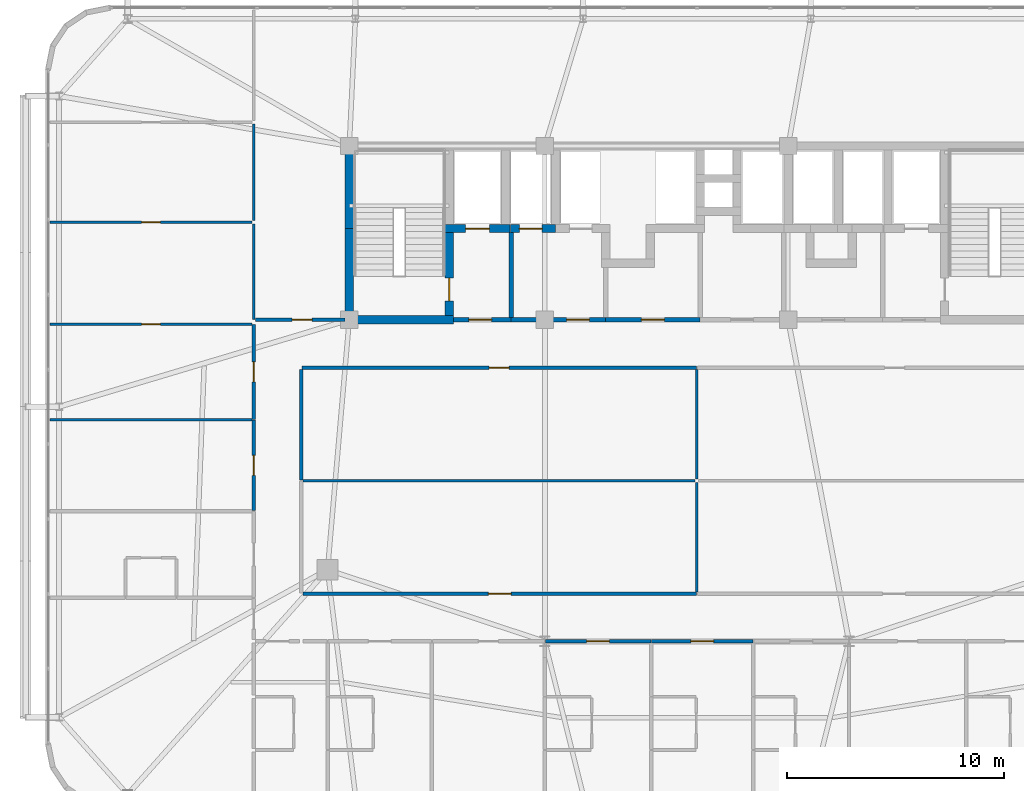
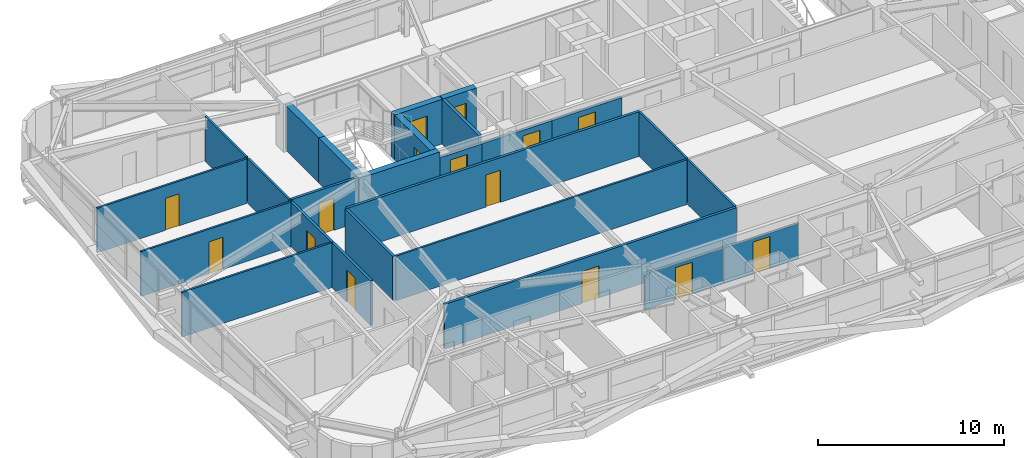
# One storey, part 53 of 59: 26 walls, 15 doors, 15 openings.
"""IFC4 building model written with IfcOpenShell, lengths in metres."""

from ifc_helpers import new_model, si_unit, direction, frame, frame_2d, origin, place, context, subcontext, project, spatial, rectangle, extrude, source, transform, mapped, material, layer, layer_set, type_object, element, fill, save


model = new_model("IFC4")

# Units and contexts
model_context = context("Model", 3, precision=1e-05, world=origin(), true_north=direction((0.0, 1.0)))
body_context = subcontext(model_context, "Body", "Model", "MODEL_VIEW")
ifc_project = project(units=[si_unit("LENGTHUNIT", "METRE"), si_unit("AREAUNIT", "SQUARE_METRE"), si_unit("VOLUMEUNIT", "CUBIC_METRE"), si_unit("PLANEANGLEUNIT", "RADIAN"), si_unit("MASSUNIT", "GRAM", prefix="KILO")], contexts=[model_context])

# Site, building, storey
site_placement = place(None, origin())
site = spatial("IfcSite", under=ifc_project, at=site_placement, CompositionType="ELEMENT")
building_placement = place(site_placement, origin())
building = spatial("IfcBuilding", under=site, at=building_placement, Name="Taldren Reach Tower", CompositionType="ELEMENT")
storey_placement = place(building_placement, frame((0.0, 0.0, 19.949951171875)))
storey = spatial("IfcBuildingStorey", under=building, at=storey_placement, Name="L05", CompositionType="ELEMENT", Elevation=19.949951171875)

# Walls
ifc_material_1 = material(Name="Concrete S80 (80 MPa)", Category="concrete")
ifc_layer_1 = layer(ifc_material_1, 0.3798828125)
ifc_layer_set_1 = layer_set([ifc_layer_1], Name="Concrete S80 (80 MPa)")
wall_type_1 = type_object("IfcWallType", Name="IW-CORE-380", PredefinedType="SHEAR", material=ifc_layer_set_1)
shared_shape_1 = source(origin(), body_context, "Body", "SweptSolid", [
    extrude(rectangle(XDim=4.010009765625, YDim=0.3798828125, at=frame_2d((2.0048828125, 0.0))), origin(), (0.0, 0.0, 1.0), 2.929931640625),
])
wall_1_placement = place(storey_placement, frame((19.0, 24.18994140625, 0.0), z_axis=(0.0, 0.0, 1.0), x_axis=(0.0, 1.0, 0.0)))
element("IfcWall", 1, at=wall_1_placement, inside=storey, type_object=wall_type_1, Name="Rear Core Shear Wall W-CORE-L05-WEST1", PredefinedType="SHEAR", context=body_context, shape_type="MappedRepresentation", body=[
    mapped(shared_shape_1, transform((0.0, 0.0, 0.0), scale=1.0)),
])
shared_shape_2 = source(origin(), body_context, "Body", "SweptSolid", [
    extrude(rectangle(XDim=3.610107421875, YDim=0.3798828125, at=frame_2d((1.80517578125, 0.0))), origin(), (0.0, 0.0, 1.0), 2.929931640625),
])
wall_2_placement = place(storey_placement, frame((19.0, 28.199951171875, 0.0), z_axis=(0.0, 0.0, 1.0), x_axis=(0.0, 1.0, 0.0)))
element("IfcWall", 2, at=wall_2_placement, inside=storey, type_object=wall_type_1, Name="Rear Core Shear Wall W-CORE-L05-WEST2", PredefinedType="SHEAR", context=body_context, shape_type="MappedRepresentation", body=[
    mapped(shared_shape_2, transform((0.0, 0.0, 0.0), scale=1.0)),
])

# Wall, opening, door
shared_shape_3 = source(origin(), body_context, "Body", "SweptSolid", [
    extrude(rectangle(XDim=3.820068359375, YDim=0.3798828125, at=frame_2d((1.91015625, 0.0))), origin(), (0.0, 0.0, 1.0), 2.929931640625),
])
wall_3_placement = place(storey_placement, frame((23.60009765625, 24.18994140625, 0.0), z_axis=(0.0, 0.0, 1.0), x_axis=(0.0, 1.0, 0.0)))
wall_3 = element("IfcWall", 3, at=wall_3_placement, inside=storey, type_object=wall_type_1, Name="Rear Core Shear Wall W-INT-L05-002", PredefinedType="SHEAR", context=body_context, shape_type="MappedRepresentation", body=[
    mapped(shared_shape_3, transform((0.0, 0.0, 0.0), scale=1.0)),
])
shared_shape_4 = source(origin(), body_context, "Body", "SweptSolid", [
    extrude(rectangle(XDim=1.050048828125, YDim=2.10009765625, at=frame_2d((0.52490234375, 1.050048828125))), frame((0.0, 0.199951171875, 0.0), z_axis=(0.0, -1.0, 0.0), x_axis=(1.0, 0.0, 0.0)), (0.0, 0.0, 1.0), 0.39990234375),
])
opening_1_placement = place(wall_3_placement, frame((0.68505859375, 0.0, 0.0)))
opening_1 = element("IfcOpeningElement", 4, at=opening_1_placement, cuts=wall_3, Name="Opening DF-105", PredefinedType="OPENING", context=body_context, shape_type="MappedRepresentation", body=[
    mapped(shared_shape_4, transform((0.0, 0.0, 0.0), scale=1.0)),
])
ifc_material_2 = material(Name="Fire-Rated Care and Stair Exit Door")
door_type_1 = type_object("IfcDoorType", Name="ID-FIRE-105", OperationType="NOTDEFINED", PredefinedType="DOOR", material=ifc_material_2)
shared_shape_5 = source(origin(), body_context, "Body", "SweptSolid", [
    extrude(rectangle(XDim=1.050048828125, YDim=2.10009765625, at=frame_2d((0.52490234375, 1.050048828125))), frame((0.0, 0.02490234375, 0.0), z_axis=(0.0, -1.0, 0.0), x_axis=(1.0, 0.0, 0.0)), (0.0, 0.0, 1.0), 0.050048828125),
])
door_1_placement = place(opening_1_placement, origin())
door_1 = element("IfcDoor", 5, at=door_1_placement, inside=storey, type_object=door_type_1, Name="Fire Exit Stair Door DR-L05-001", OperationType="SINGLE_SWING_LEFT", OverallHeight=2.10009765625, OverallWidth=1.050048828125, PredefinedType="DOOR", context=body_context, shape_type="MappedRepresentation", body=[
    mapped(shared_shape_5, transform((0.0, 0.0, 0.0), scale=1.0)),
])
fill(opening_1, door_1)

# Wall
shared_shape_6 = source(origin(), body_context, "Body", "SweptSolid", [
    extrude(rectangle(XDim=4.97998046875, YDim=0.3798828125, at=frame_2d((2.489990234375, 0.0))), origin(), (0.0, 0.0, 1.0), 2.929931640625),
])
wall_4_placement = place(storey_placement, frame((18.81005859375, 24.0, 0.0), z_axis=(0.0, 0.0, 1.0), x_axis=(1.0, 0.0, 0.0)))
element("IfcWall", 6, at=wall_4_placement, inside=storey, type_object=wall_type_1, Name="Rear Core Shear Wall W-INT-L05-003", PredefinedType="SHEAR", context=body_context, shape_type="MappedRepresentation", body=[
    mapped(shared_shape_6, transform((0.0, 0.0, 0.0), scale=1.0)),
])

# Wall, opening, door
shared_shape_7 = source(origin(), body_context, "Body", "SweptSolid", [
    extrude(rectangle(XDim=2.97998046875, YDim=0.3798828125, at=frame_2d((1.489990234375, 0.0))), origin(), (0.0, 0.0, 1.0), 2.929931640625),
])
wall_5_placement = place(storey_placement, frame((23.409912109375, 28.199951171875, 0.0), z_axis=(0.0, 0.0, 1.0), x_axis=(1.0, 0.0, 0.0)))
wall_5 = element("IfcWall", 7, at=wall_5_placement, inside=storey, type_object=wall_type_1, Name="Rear Core Shear Wall W-INT-L05-004", PredefinedType="SHEAR", context=body_context, shape_type="MappedRepresentation", body=[
    mapped(shared_shape_7, transform((0.0, 0.0, 0.0), scale=1.0)),
])
shared_shape_8 = source(origin(), body_context, "Body", "SweptSolid", [
    extrude(rectangle(XDim=1.10009765625, YDim=2.14990234375, at=frame_2d((0.550048828125, 1.074951171875))), frame((0.0, 0.199951171875, 0.0), z_axis=(0.0, -1.0, 0.0), x_axis=(1.0, 0.0, 0.0)), (0.0, 0.0, 1.0), 0.39990234375),
])
opening_2_placement = place(wall_5_placement, frame((0.93994140625, 0.0, 0.0)))
opening_2 = element("IfcOpeningElement", 8, at=opening_2_placement, cuts=wall_5, Name="Opening LD-FL1", PredefinedType="OPENING", context=body_context, shape_type="MappedRepresentation", body=[
    mapped(shared_shape_8, transform((0.0, 0.0, 0.0), scale=1.0)),
])
ifc_material_3 = material(Name="Stainless Steel Gr 316 Emergency Lift Landing Door", Category="steel")
door_type_2 = type_object("IfcDoorType", Name="LD-EMG-110", OperationType="SLIDING_TO_LEFT", PredefinedType="DOOR", material=ifc_material_3)
shared_shape_9 = source(origin(), body_context, "Body", "SweptSolid", [
    extrude(rectangle(XDim=1.10009765625, YDim=2.14990234375, at=frame_2d((0.550048828125, 1.074951171875))), frame((0.0, 0.02490234375, 0.0), z_axis=(0.0, -1.0, 0.0), x_axis=(1.0, 0.0, 0.0)), (0.0, 0.0, 1.0), 0.050048828125),
])
door_2_placement = place(opening_2_placement, origin())
door_2 = element("IfcDoor", 9, at=door_2_placement, inside=storey, type_object=door_type_2, Name="Lift Landing Door LD-FL1-L05", OperationType="SLIDING_TO_LEFT", OverallHeight=2.14990234375, OverallWidth=1.10009765625, PredefinedType="DOOR", context=body_context, shape_type="MappedRepresentation", body=[
    mapped(shared_shape_9, transform((0.0, 0.0, 0.0), scale=1.0)),
])
fill(opening_2, door_2)

# Wall
ifc_material_4 = material(Name="Concrete S50 (50 MPa)", Category="concrete")
ifc_layer_2 = layer(ifc_material_4, 0.199951171875)
ifc_layer_set_2 = layer_set([ifc_layer_2], Name="Concrete S50 (50 MPa)")
wall_type_2 = type_object("IfcWallType", Name="IW-CORE-200", PredefinedType="SOLIDWALL", material=ifc_layer_set_2)
shared_shape_10 = source(origin(), body_context, "Body", "SweptSolid", [
    extrude(rectangle(XDim=3.909912109375, YDim=0.199951171875, at=frame_2d((1.955078125, 0.0))), origin(), (0.0, 0.0, 1.0), 2.929931640625),
])
wall_6_placement = place(storey_placement, frame((26.449951171875, 24.10009765625, 0.0), z_axis=(0.0, 0.0, 1.0), x_axis=(0.0, 1.0, 0.0)))
element("IfcWall", 10, at=wall_6_placement, inside=storey, type_object=wall_type_2, Name="Rear Core Shear Wall W-INT-L05-006", PredefinedType="SOLIDWALL", context=body_context, shape_type="MappedRepresentation", body=[
    mapped(shared_shape_10, transform((0.0, 0.0, 0.0), scale=1.0)),
])

# Wall, opening, door
shared_shape_11 = source(origin(), body_context, "Body", "SweptSolid", [
    extrude(rectangle(XDim=2.659912109375, YDim=0.199951171875, at=frame_2d((1.330078125, 0.0))), origin(), (0.0, 0.0, 1.0), 2.469970703125),
])
wall_7_placement = place(storey_placement, frame((23.7900390625, 24.0, 0.0), z_axis=(0.0, 0.0, 1.0), x_axis=(1.0, 0.0, 0.0)))
wall_7 = element("IfcWall", 11, at=wall_7_placement, inside=storey, type_object=wall_type_2, Name="Rear Core Shear Wall W-INT-L05-007", PredefinedType="SOLIDWALL", context=body_context, shape_type="MappedRepresentation", body=[
    mapped(shared_shape_11, transform((0.0, 0.0, 0.0), scale=1.0)),
])
shared_shape_12 = source(origin(), body_context, "Body", "SweptSolid", [
    extrude(rectangle(XDim=1.050048828125, YDim=2.10009765625, at=frame_2d((0.52490234375, 1.050048828125))), frame((0.0, 0.10986328125, 0.0), z_axis=(0.0, -1.0, 0.0), x_axis=(1.0, 0.0, 0.0)), (0.0, 0.0, 1.0), 0.219970703125),
])
opening_3_placement = place(wall_7_placement, frame((0.7099609375, 0.0, 0.0)))
opening_3 = element("IfcOpeningElement", 12, at=opening_3_placement, cuts=wall_7, Name="Opening DF-105", PredefinedType="OPENING", context=body_context, shape_type="MappedRepresentation", body=[
    mapped(shared_shape_12, transform((0.0, 0.0, 0.0), scale=1.0)),
])
door_3_placement = place(opening_3_placement, origin())
door_3 = element("IfcDoor", 13, at=door_3_placement, inside=storey, type_object=door_type_1, Name="Interior Door DR-L05-002", OperationType="SINGLE_SWING_LEFT", OverallHeight=2.10009765625, OverallWidth=1.050048828125, PredefinedType="DOOR", context=body_context, shape_type="MappedRepresentation", body=[
    mapped(shared_shape_5, transform((0.0, 0.0, 0.0), scale=1.0)),
])
fill(opening_3, door_3)

shared_shape_13 = source(origin(), body_context, "Body", "SweptSolid", [
    extrude(rectangle(XDim=2.070068359375, YDim=0.3798828125, at=frame_2d((1.03515625, 0.0))), origin(), (0.0, 0.0, 1.0), 2.929931640625),
])
wall_8_placement = place(storey_placement, frame((26.429931640625, 28.199951171875, 0.0), z_axis=(0.0, 0.0, 1.0), x_axis=(1.0, 0.0, 0.0)))
wall_8 = element("IfcWall", 14, at=wall_8_placement, inside=storey, type_object=wall_type_1, Name="Rear Core Shear Wall W-INT-L05-030", PredefinedType="SHEAR", context=body_context, shape_type="MappedRepresentation", body=[
    mapped(shared_shape_13, transform((0.0, 0.0, 0.0), scale=1.0)),
])
shared_shape_14 = source(origin(), body_context, "Body", "SweptSolid", [
    extrude(rectangle(XDim=1.050048828125, YDim=2.14990234375, at=frame_2d((0.52490234375, 1.074951171875))), frame((0.0, 0.199951171875, 0.0), z_axis=(0.0, -1.0, 0.0), x_axis=(1.0, 0.0, 0.0)), (0.0, 0.0, 1.0), 0.39990234375),
])
opening_4_placement = place(wall_8_placement, frame((0.39501953125, 0.0, 0.0)))
opening_4 = element("IfcOpeningElement", 15, at=opening_4_placement, cuts=wall_8, Name="Opening LD-PL1", PredefinedType="OPENING", context=body_context, shape_type="MappedRepresentation", body=[
    mapped(shared_shape_14, transform((0.0, 0.0, 0.0), scale=1.0)),
])
ifc_material_5 = material(Name="Stainless Steel Gr 316 Passenger Lift Landing Door", Category="steel")
door_type_3 = type_object("IfcDoorType", Name="LD-PAS-105", OperationType="SLIDING_TO_LEFT", PredefinedType="DOOR", material=ifc_material_5)
shared_shape_15 = source(origin(), body_context, "Body", "SweptSolid", [
    extrude(rectangle(XDim=1.050048828125, YDim=2.14990234375, at=frame_2d((0.52490234375, 1.074951171875))), frame((0.0, 0.02490234375, 0.0), z_axis=(0.0, -1.0, 0.0), x_axis=(1.0, 0.0, 0.0)), (0.0, 0.0, 1.0), 0.050048828125),
])
door_4_placement = place(opening_4_placement, origin())
door_4 = element("IfcDoor", 16, at=door_4_placement, inside=storey, type_object=door_type_3, Name="Lift Landing Door LD-PL1-L05", OperationType="SLIDING_TO_LEFT", OverallHeight=2.14990234375, OverallWidth=1.050048828125, PredefinedType="DOOR", context=body_context, shape_type="MappedRepresentation", body=[
    mapped(shared_shape_15, transform((0.0, 0.0, 0.0), scale=1.0)),
])
fill(opening_4, door_4)

shared_shape_16 = source(origin(), body_context, "Body", "SweptSolid", [
    extrude(rectangle(XDim=4.35009765625, YDim=0.199951171875, at=frame_2d((2.175048828125, 0.0))), origin(), (0.0, 0.0, 1.0), 2.469970703125),
])
wall_9_placement = place(storey_placement, frame((30.800048828125, 24.0, 0.0), z_axis=(0.0, 0.0, 1.0), x_axis=(-1.0, 0.0, 0.0)))
wall_9 = element("IfcWall", 17, at=wall_9_placement, inside=storey, type_object=wall_type_2, Name="Rear Core Shear Wall W-INT-L05-033", PredefinedType="SOLIDWALL", context=body_context, shape_type="MappedRepresentation", body=[
    mapped(shared_shape_16, transform((0.0, 0.0, 0.0), scale=1.0)),
])
opening_5_placement = place(wall_9_placement, frame((0.75, 0.0, 0.0)))
opening_5 = element("IfcOpeningElement", 18, at=opening_5_placement, cuts=wall_9, Name="Opening DF-105", PredefinedType="OPENING", context=body_context, shape_type="MappedRepresentation", body=[
    mapped(shared_shape_12, transform((0.0, 0.0, 0.0), scale=1.0)),
])
door_5_placement = place(opening_5_placement, frame((1.050048828125, 0.0, 0.0), z_axis=(0.0, 0.0, 1.0), x_axis=(-1.0, 0.0, 0.0)))
door_5 = element("IfcDoor", 19, at=door_5_placement, inside=storey, type_object=door_type_1, Name="Interior Door DR-L05-005", OperationType="SINGLE_SWING_RIGHT", OverallHeight=2.10009765625, OverallWidth=1.050048828125, PredefinedType="DOOR", context=body_context, shape_type="MappedRepresentation", body=[
    mapped(shared_shape_5, transform((0.0, 0.0, 0.0), scale=1.0)),
])
fill(opening_5, door_5)

ifc_material_6 = material(Name="Fire-Rated Acoustic Plasterboard Stud Wall", Category="gypsum")
ifc_layer_3 = layer(ifc_material_6, 0.159912109375)
ifc_layer_set_3 = layer_set([ifc_layer_3], Name="Fire-Rated Acoustic Plasterboard Stud Wall")
wall_type_3 = type_object("IfcWallType", Name="IW-FIRE-160", PredefinedType="PARTITIONING", material=ifc_layer_set_3)
shared_shape_17 = source(origin(), body_context, "Body", "SweptSolid", [
    extrude(rectangle(XDim=4.130126953125, YDim=0.159912109375, at=frame_2d((2.06494140625, 0.0))), origin(), (0.0, 0.0, 1.0), 2.929931640625),
])
wall_10_placement = place(storey_placement, frame((14.679931640625, 24.0, 0.0), z_axis=(0.0, 0.0, 1.0), x_axis=(1.0, 0.0, 0.0)))
wall_10 = element("IfcWall", 20, at=wall_10_placement, inside=storey, type_object=wall_type_3, Name="Interior Partition Wall W-INT-L05-063", PredefinedType="PARTITIONING", context=body_context, shape_type="MappedRepresentation", body=[
    mapped(shared_shape_17, transform((0.0, 0.0, 0.0), scale=1.0)),
])
shared_shape_18 = source(origin(), body_context, "Body", "SweptSolid", [
    extrude(rectangle(XDim=0.919921875, YDim=2.10009765625, at=frame_2d((0.4599609375, 1.050048828125))), frame((0.0, 0.08984375, 0.0), z_axis=(0.0, -1.0, 0.0), x_axis=(1.0, 0.0, 0.0)), (0.0, 0.0, 1.0), 0.179931640625),
])
opening_6_placement = place(wall_10_placement, frame((1.68994140625, 0.0, 0.0)))
opening_6 = element("IfcOpeningElement", 21, at=opening_6_placement, cuts=wall_10, Name="Opening DI-092", PredefinedType="OPENING", context=body_context, shape_type="MappedRepresentation", body=[
    mapped(shared_shape_18, transform((0.0, 0.0, 0.0), scale=1.0)),
])
ifc_material_7 = material(Name="Solid-Core Timber Suite Door", Category="wood")
door_type_4 = type_object("IfcDoorType", Name="ID-INT-092", OperationType="NOTDEFINED", PredefinedType="DOOR", material=ifc_material_7)
shared_shape_19 = source(origin(), body_context, "Body", "SweptSolid", [
    extrude(rectangle(XDim=0.919921875, YDim=2.10009765625, at=frame_2d((0.4599609375, 1.050048828125))), frame((0.0, 0.02490234375, 0.0), z_axis=(0.0, -1.0, 0.0), x_axis=(1.0, 0.0, 0.0)), (0.0, 0.0, 1.0), 0.050048828125),
])
door_6_placement = place(opening_6_placement, origin())
door_6 = element("IfcDoor", 22, at=door_6_placement, inside=storey, type_object=door_type_4, Name="Interior Door DR-L05-021", OperationType="SINGLE_SWING_RIGHT", OverallHeight=2.10009765625, OverallWidth=0.919921875, PredefinedType="DOOR", context=body_context, shape_type="MappedRepresentation", body=[
    mapped(shared_shape_19, transform((0.0, 0.0, 0.0), scale=1.0)),
])
fill(opening_6, door_6)

shared_shape_20 = source(origin(), body_context, "Body", "SweptSolid", [
    extrude(rectangle(XDim=4.349853515625, YDim=0.199951171875, at=frame_2d((2.1748046875, 0.0))), origin(), (0.0, 0.0, 1.0), 2.469970703125),
])
wall_11_placement = place(storey_placement, frame((35.14990234375, 24.0, 0.0), z_axis=(0.0, 0.0, 1.0), x_axis=(-1.0, 0.0, 0.0)))
wall_11 = element("IfcWall", 23, at=wall_11_placement, inside=storey, type_object=wall_type_2, Name="Rear Core Shear Wall W-INT-L05-043", PredefinedType="SOLIDWALL", context=body_context, shape_type="MappedRepresentation", body=[
    mapped(shared_shape_20, transform((0.0, 0.0, 0.0), scale=1.0)),
])
opening_7_placement = place(wall_11_placement, frame((1.64990234375, 0.0, 0.0)))
opening_7 = element("IfcOpeningElement", 24, at=opening_7_placement, cuts=wall_11, Name="Opening DF-105", PredefinedType="OPENING", context=body_context, shape_type="MappedRepresentation", body=[
    mapped(shared_shape_12, transform((0.0, 0.0, 0.0), scale=1.0)),
])
door_7_placement = place(opening_7_placement, frame((1.050048828125, 0.0, 0.0), z_axis=(0.0, 0.0, 1.0), x_axis=(-1.0, 0.0, 0.0)))
door_7 = element("IfcDoor", 25, at=door_7_placement, inside=storey, type_object=door_type_1, Name="Interior Door DR-L05-006", OperationType="SINGLE_SWING_RIGHT", OverallHeight=2.10009765625, OverallWidth=1.050048828125, PredefinedType="DOOR", context=body_context, shape_type="MappedRepresentation", body=[
    mapped(shared_shape_5, transform((0.0, 0.0, 0.0), scale=1.0)),
])
fill(opening_7, door_7)

shared_shape_21 = source(origin(), body_context, "Body", "SweptSolid", [
    extrude(rectangle(XDim=18.159423828125, YDim=0.159912109375, at=frame_2d((9.07958984375, 0.0))), origin(), (0.0, 0.0, 1.0), 2.929931640625),
])
wall_12_placement = place(storey_placement, frame((34.979736328125, 21.800048828125, 0.0), z_axis=(0.0, 0.0, 1.0), x_axis=(-1.0, 0.0, 0.0)))
wall_12 = element("IfcWall", 26, at=wall_12_placement, inside=storey, type_object=wall_type_3, Name="Interior Partition Wall W-INT-L05-048", PredefinedType="PARTITIONING", context=body_context, shape_type="MappedRepresentation", body=[
    mapped(shared_shape_21, transform((0.0, 0.0, 0.0), scale=1.0)),
])
opening_8_placement = place(wall_12_placement, frame((8.619873046875, 0.0, 0.0)))
opening_8 = element("IfcOpeningElement", 27, at=opening_8_placement, cuts=wall_12, Name="Opening DI-092", PredefinedType="OPENING", context=body_context, shape_type="MappedRepresentation", body=[
    mapped(shared_shape_18, transform((0.0, 0.0, 0.0), scale=1.0)),
])
door_8_placement = place(opening_8_placement, origin())
door_8 = element("IfcDoor", 28, at=door_8_placement, inside=storey, type_object=door_type_4, Name="Interior Door DR-L05-009", OperationType="SINGLE_SWING_RIGHT", OverallHeight=2.10009765625, OverallWidth=0.919921875, PredefinedType="DOOR", context=body_context, shape_type="MappedRepresentation", body=[
    mapped(shared_shape_19, transform((0.0, 0.0, 0.0), scale=1.0)),
])
fill(opening_8, door_8)

# Wall
shared_shape_22 = source(origin(), body_context, "Body", "SweptSolid", [
    extrude(rectangle(XDim=5.099853515625, YDim=0.159912109375, at=frame_2d((2.5498046875, 0.0))), origin(), (0.0, 0.0, 1.0), 2.929931640625),
])
wall_13_placement = place(storey_placement, frame((16.800048828125, 21.719970703125, 0.0), z_axis=(0.0, 0.0, 1.0), x_axis=(0.0, -1.0, 0.0)))
element("IfcWall", 29, at=wall_13_placement, inside=storey, type_object=wall_type_3, Name="Interior Partition Wall W-INT-L05-049", PredefinedType="PARTITIONING", context=body_context, shape_type="MappedRepresentation", body=[
    mapped(shared_shape_22, transform((0.0, 0.0, 0.0), scale=1.0)),
])

# Wall, opening, door
shared_shape_23 = source(origin(), body_context, "Body", "SweptSolid", [
    extrude(rectangle(XDim=4.15966796875, YDim=0.159912109375, at=frame_2d((2.079833984375, 0.0))), origin(), (0.0, 0.0, 1.0), 2.929931640625),
])
wall_14_placement = place(storey_placement, frame((14.60009765625, 15.22021484375, 0.0), z_axis=(0.0, 0.0, 1.0), x_axis=(0.0, 1.0, 0.0)))
wall_14 = element("IfcWall", 30, at=wall_14_placement, inside=storey, type_object=wall_type_3, Name="Interior Partition Wall W-INT-L05-057", PredefinedType="PARTITIONING", context=body_context, shape_type="MappedRepresentation", body=[
    mapped(shared_shape_23, transform((0.0, 0.0, 0.0), scale=1.0)),
])
opening_9_placement = place(wall_14_placement, frame((1.619873046875, 0.0, 0.0)))
opening_9 = element("IfcOpeningElement", 31, at=opening_9_placement, cuts=wall_14, Name="Opening DI-092", PredefinedType="OPENING", context=body_context, shape_type="MappedRepresentation", body=[
    mapped(shared_shape_18, transform((0.0, 0.0, 0.0), scale=1.0)),
])
door_9_placement = place(opening_9_placement, origin())
door_9 = element("IfcDoor", 32, at=door_9_placement, inside=storey, type_object=door_type_4, Name="Interior Door DR-L05-015", OperationType="SINGLE_SWING_RIGHT", OverallHeight=2.10009765625, OverallWidth=0.919921875, PredefinedType="DOOR", context=body_context, shape_type="MappedRepresentation", body=[
    mapped(shared_shape_19, transform((0.0, 0.0, 0.0), scale=1.0)),
])
fill(opening_9, door_9)

shared_shape_24 = source(origin(), body_context, "Body", "SweptSolid", [
    extrude(rectangle(XDim=4.359619140625, YDim=0.159912109375, at=frame_2d((2.1796875, 0.0))), origin(), (0.0, 0.0, 1.0), 2.929931640625),
])
wall_15_placement = place(storey_placement, frame((14.60009765625, 19.420166015625, 0.0), z_axis=(0.0, 0.0, 1.0), x_axis=(0.0, 1.0, 0.0)))
wall_15 = element("IfcWall", 33, at=wall_15_placement, inside=storey, type_object=wall_type_3, Name="Interior Partition Wall W-INT-L05-058", PredefinedType="PARTITIONING", context=body_context, shape_type="MappedRepresentation", body=[
    mapped(shared_shape_24, transform((0.0, 0.0, 0.0), scale=1.0)),
])
opening_10_placement = place(wall_15_placement, frame((1.7197265625, 0.0, 0.0)))
opening_10 = element("IfcOpeningElement", 34, at=opening_10_placement, cuts=wall_15, Name="Opening DI-092", PredefinedType="OPENING", context=body_context, shape_type="MappedRepresentation", body=[
    mapped(shared_shape_18, transform((0.0, 0.0, 0.0), scale=1.0)),
])
door_10_placement = place(opening_10_placement, origin())
door_10 = element("IfcDoor", 35, at=door_10_placement, inside=storey, type_object=door_type_4, Name="Interior Door DR-L05-016", OperationType="SINGLE_SWING_LEFT", OverallHeight=2.10009765625, OverallWidth=0.919921875, PredefinedType="DOOR", context=body_context, shape_type="MappedRepresentation", body=[
    mapped(shared_shape_19, transform((0.0, 0.0, 0.0), scale=1.0)),
])
fill(opening_10, door_10)

shared_shape_25 = source(origin(), body_context, "Body", "SweptSolid", [
    extrude(rectangle(XDim=18.099853515625, YDim=0.159912109375, at=frame_2d((9.0498046875, 0.0))), origin(), (0.0, 0.0, 1.0), 2.929931640625),
])
wall_16_placement = place(storey_placement, frame((16.8798828125, 11.39990234375, 0.0), z_axis=(0.0, 0.0, 1.0), x_axis=(1.0, 0.0, 0.0)))
wall_16 = element("IfcWall", 36, at=wall_16_placement, inside=storey, type_object=wall_type_3, Name="Interior Partition Wall W-INT-L05-065", PredefinedType="PARTITIONING", context=body_context, shape_type="MappedRepresentation", body=[
    mapped(shared_shape_25, transform((0.0, 0.0, 0.0), scale=1.0)),
])
shared_shape_26 = source(origin(), body_context, "Body", "SweptSolid", [
    extrude(rectangle(XDim=1.050048828125, YDim=2.10009765625, at=frame_2d((0.52490234375, 1.050048828125))), frame((0.0, 0.08984375, 0.0), z_axis=(0.0, -1.0, 0.0), x_axis=(1.0, 0.0, 0.0)), (0.0, 0.0, 1.0), 0.179931640625),
])
opening_11_placement = place(wall_16_placement, frame((8.52490234375, 0.0, 0.0)))
opening_11 = element("IfcOpeningElement", 37, at=opening_11_placement, cuts=wall_16, Name="Opening DF-105", PredefinedType="OPENING", context=body_context, shape_type="MappedRepresentation", body=[
    mapped(shared_shape_26, transform((0.0, 0.0, 0.0), scale=1.0)),
])
door_11_placement = place(opening_11_placement, origin())
door_11 = element("IfcDoor", 38, at=door_11_placement, inside=storey, type_object=door_type_1, Name="Interior Door DR-L05-022", OperationType="SINGLE_SWING_LEFT", OverallHeight=2.10009765625, OverallWidth=1.050048828125, PredefinedType="DOOR", context=body_context, shape_type="MappedRepresentation", body=[
    mapped(shared_shape_5, transform((0.0, 0.0, 0.0), scale=1.0)),
])
fill(opening_11, door_11)

shared_shape_27 = source(origin(), body_context, "Body", "SweptSolid", [
    extrude(rectangle(XDim=4.859375, YDim=0.159912109375, at=frame_2d((2.4296875, 0.0))), origin(), (0.0, 0.0, 1.0), 2.328125),
])
wall_17_placement = place(storey_placement, frame((32.879638671875, 9.199951171875, 0.0), z_axis=(0.0, 0.0, 1.0), x_axis=(-1.0, 0.0, 0.0)))
wall_17 = element("IfcWall", 39, at=wall_17_placement, inside=storey, type_object=wall_type_3, Name="Interior Partition Wall W-INT-L05-070", PredefinedType="PARTITIONING", context=body_context, shape_type="MappedRepresentation", body=[
    mapped(shared_shape_27, transform((0.0, 0.0, 0.0), scale=1.0)),
])
opening_12_placement = place(wall_17_placement, frame((1.90478515625, 0.0, 0.0)))
opening_12 = element("IfcOpeningElement", 40, at=opening_12_placement, cuts=wall_17, Name="Opening DF-105", PredefinedType="OPENING", context=body_context, shape_type="MappedRepresentation", body=[
    mapped(shared_shape_26, transform((0.0, 0.0, 0.0), scale=1.0)),
])
door_12_placement = place(opening_12_placement, origin())
door_12 = element("IfcDoor", 41, at=door_12_placement, inside=storey, type_object=door_type_1, Name="Interior Door DR-L05-026", OperationType="SINGLE_SWING_LEFT", OverallHeight=2.10009765625, OverallWidth=1.050048828125, PredefinedType="DOOR", context=body_context, shape_type="MappedRepresentation", body=[
    mapped(shared_shape_5, transform((0.0, 0.0, 0.0), scale=1.0)),
])
fill(opening_12, door_12)

shared_shape_28 = source(origin(), body_context, "Body", "SweptSolid", [
    extrude(rectangle(XDim=4.6591796875, YDim=0.159912109375, at=frame_2d((2.32958984375, 0.0))), origin(), (0.0, 0.0, 1.0), 2.328125),
])
wall_18_placement = place(storey_placement, frame((37.57958984375, 9.199951171875, 0.0), z_axis=(0.0, 0.0, 1.0), x_axis=(-1.0, 0.0, 0.0)))
wall_18 = element("IfcWall", 42, at=wall_18_placement, inside=storey, type_object=wall_type_3, Name="Interior Partition Wall W-INT-L05-071", PredefinedType="PARTITIONING", context=body_context, shape_type="MappedRepresentation", body=[
    mapped(shared_shape_28, transform((0.0, 0.0, 0.0), scale=1.0)),
])
opening_13_placement = place(wall_18_placement, frame((1.8046875, 0.0, 0.0)))
opening_13 = element("IfcOpeningElement", 43, at=opening_13_placement, cuts=wall_18, Name="Opening DF-105", PredefinedType="OPENING", context=body_context, shape_type="MappedRepresentation", body=[
    mapped(shared_shape_26, transform((0.0, 0.0, 0.0), scale=1.0)),
])
door_13_placement = place(opening_13_placement, origin())
door_13 = element("IfcDoor", 44, at=door_13_placement, inside=storey, type_object=door_type_1, Name="Interior Door DR-L05-027", OperationType="SINGLE_SWING_RIGHT", OverallHeight=2.10009765625, OverallWidth=1.050048828125, PredefinedType="DOOR", context=body_context, shape_type="MappedRepresentation", body=[
    mapped(shared_shape_5, transform((0.0, 0.0, 0.0), scale=1.0)),
])
fill(opening_13, door_13)

# Walls
ifc_material_8 = material(Name="Insulated Residential Stud Partition", Category="gypsum")
ifc_layer_4 = layer(ifc_material_8, 0.1201171875)
ifc_layer_set_4 = layer_set([ifc_layer_4], Name="Insulated Residential Stud Partition")
wall_type_4 = type_object("IfcWallType", Name="IW-PART-120", PredefinedType="PARTITIONING", material=ifc_layer_set_4)
shared_shape_29 = source(origin(), body_context, "Body", "SweptSolid", [
    extrude(rectangle(XDim=18.0400390625, YDim=0.1201171875, at=frame_2d((9.02001953125, 0.0))), origin(), (0.0, 0.0, 1.0), 2.929931640625),
])
wall_19_placement = place(storey_placement, frame((16.8798828125, 16.60009765625, 0.0), z_axis=(0.0, 0.0, 1.0), x_axis=(1.0, 0.0, 0.0)))
element("IfcWall", 45, at=wall_19_placement, inside=storey, type_object=wall_type_4, Name="Interior Partition Wall W-INT-L05-076", PredefinedType="PARTITIONING", context=body_context, shape_type="MappedRepresentation", body=[
    mapped(shared_shape_29, transform((0.0, 0.0, 0.0), scale=1.0)),
])
shared_shape_30 = source(origin(), body_context, "Body", "SweptSolid", [
    extrude(rectangle(XDim=5.0400390625, YDim=0.1201171875, at=frame_2d((2.52001953125, 0.0))), origin(), (0.0, 0.0, 1.0), 2.929931640625),
])
for number, where, z_axis, x_axis, name in (
    (46, (35.0, 16.52001953125, 0.0), (0.0, 0.0, 1.0), (0.0, -1.0, 0.0), "Interior Partition Wall W-INT-L05-077"),
    (47, (35.0, 21.719970703125, 0.0), (0.0, 0.0, 1.0), (0.0, -1.0, 0.0), "Interior Partition Wall W-INT-L05-078"),
):
    element("IfcWall", number, at=place(storey_placement, frame(where, z_axis=z_axis, x_axis=x_axis)), inside=storey, type_object=wall_type_4, Name=name, PredefinedType="PARTITIONING", context=body_context, shape_type="MappedRepresentation", body=[
        mapped(shared_shape_30, transform((0.0, 0.0, 0.0), scale=1.0)),
    ])
shared_shape_31 = source(origin(), body_context, "Body", "SweptSolid", [
    extrude(rectangle(XDim=9.2900390625, YDim=0.1201171875, at=frame_2d((4.64501953125, 0.0))), origin(), (0.0, 0.0, 1.0), 2.929931640625),
])
wall_20_placement = place(storey_placement, frame((5.22998046875, 19.39990234375, 0.0), z_axis=(0.0, 0.0, 1.0), x_axis=(1.0, 0.0, 0.0)))
element("IfcWall", 48, at=wall_20_placement, inside=storey, type_object=wall_type_4, Name="Interior Partition Wall W-INT-L05-132", PredefinedType="PARTITIONING", context=body_context, shape_type="MappedRepresentation", body=[
    mapped(shared_shape_31, transform((0.0, 0.0, 0.0), scale=1.0)),
])

# Wall, opening, door
wall_21_placement = place(storey_placement, frame((5.22998046875, 23.800048828125, 0.0), z_axis=(0.0, 0.0, 1.0), x_axis=(1.0, 0.0, 0.0)))
wall_21 = element("IfcWall", 49, at=wall_21_placement, inside=storey, type_object=wall_type_4, Name="Interior Partition Wall W-INT-L05-133", PredefinedType="PARTITIONING", context=body_context, shape_type="MappedRepresentation", body=[
    mapped(shared_shape_31, transform((0.0, 0.0, 0.0), scale=1.0)),
])
shared_shape_32 = source(origin(), body_context, "Body", "SweptSolid", [
    extrude(rectangle(XDim=0.860107421875, YDim=2.10009765625, at=frame_2d((0.43017578125, 1.050048828125))), frame((0.0, 0.070068359375, 0.0), z_axis=(0.0, -1.0, 0.0), x_axis=(1.0, 0.0, 0.0)), (0.0, 0.0, 1.0), 0.14013671875),
])
opening_14_placement = place(wall_21_placement, frame((4.215087890625, 0.0, 0.0)))
opening_14 = element("IfcOpeningElement", 50, at=opening_14_placement, cuts=wall_21, Name="Opening DI-086", PredefinedType="OPENING", context=body_context, shape_type="MappedRepresentation", body=[
    mapped(shared_shape_32, transform((0.0, 0.0, 0.0), scale=1.0)),
])
ifc_material_9 = material(Name="Timber Bathroom Door", Category="wood")
door_type_5 = type_object("IfcDoorType", Name="ID-INT-086", OperationType="NOTDEFINED", PredefinedType="DOOR", material=ifc_material_9)
shared_shape_33 = source(origin(), body_context, "Body", "SweptSolid", [
    extrude(rectangle(XDim=0.860107421875, YDim=2.10009765625, at=frame_2d((0.43017578125, 1.050048828125))), frame((0.0, 0.02490234375, 0.0), z_axis=(0.0, -1.0, 0.0), x_axis=(1.0, 0.0, 0.0)), (0.0, 0.0, 1.0), 0.050048828125),
])
door_14_placement = place(opening_14_placement, frame((0.860107421875, 0.0, 0.0), z_axis=(0.0, 0.0, 1.0), x_axis=(-1.0, 0.0, 0.0)))
door_14 = element("IfcDoor", 51, at=door_14_placement, inside=storey, type_object=door_type_5, Name="Interior Door DR-L05-040", OperationType="SINGLE_SWING_RIGHT", OverallHeight=2.10009765625, OverallWidth=0.860107421875, PredefinedType="DOOR", context=body_context, shape_type="MappedRepresentation", body=[
    mapped(shared_shape_33, transform((0.0, 0.0, 0.0), scale=1.0)),
])
fill(opening_14, door_14)

wall_22_placement = place(storey_placement, frame((5.22998046875, 28.5, 0.0), z_axis=(0.0, 0.0, 1.0), x_axis=(1.0, 0.0, 0.0)))
wall_22 = element("IfcWall", 52, at=wall_22_placement, inside=storey, type_object=wall_type_4, Name="Interior Partition Wall W-INT-L05-134", PredefinedType="PARTITIONING", context=body_context, shape_type="MappedRepresentation", body=[
    mapped(shared_shape_31, transform((0.0, 0.0, 0.0), scale=1.0)),
])
opening_15_placement = place(wall_22_placement, frame((4.215087890625, 0.0, 0.0)))
opening_15 = element("IfcOpeningElement", 53, at=opening_15_placement, cuts=wall_22, Name="Opening DI-086", PredefinedType="OPENING", context=body_context, shape_type="MappedRepresentation", body=[
    mapped(shared_shape_32, transform((0.0, 0.0, 0.0), scale=1.0)),
])
door_15_placement = place(opening_15_placement, origin())
door_15 = element("IfcDoor", 54, at=door_15_placement, inside=storey, type_object=door_type_5, Name="Interior Door DR-L05-041", OperationType="SINGLE_SWING_RIGHT", OverallHeight=2.10009765625, OverallWidth=0.860107421875, PredefinedType="DOOR", context=body_context, shape_type="MappedRepresentation", body=[
    mapped(shared_shape_33, transform((0.0, 0.0, 0.0), scale=1.0)),
])
fill(opening_15, door_15)

# Walls
shared_shape_34 = source(origin(), body_context, "Body", "SweptSolid", [
    extrude(rectangle(XDim=4.399658203125, YDim=0.1201171875, at=frame_2d((2.19970703125, 0.0))), origin(), (0.0, 0.0, 1.0), 2.929931640625),
])
wall_23_placement = place(storey_placement, frame((14.60009765625, 28.419921875, 0.0), z_axis=(0.0, 0.0, 1.0), x_axis=(0.0, -1.0, 0.0)))
element("IfcWall", 55, at=wall_23_placement, inside=storey, type_object=wall_type_4, Name="Interior Partition Wall W-INT-L05-135", PredefinedType="PARTITIONING", context=body_context, shape_type="MappedRepresentation", body=[
    mapped(shared_shape_34, transform((0.0, 0.0, 0.0), scale=1.0)),
])
shared_shape_35 = source(origin(), body_context, "Body", "SweptSolid", [
    extrude(rectangle(XDim=4.43994140625, YDim=0.1201171875, at=frame_2d((2.219970703125, 0.0))), origin(), (0.0, 0.0, 1.0), 2.929931640625),
])
wall_24_placement = place(storey_placement, frame((14.60009765625, 33.02001953125, 0.0), z_axis=(0.0, 0.0, 1.0), x_axis=(0.0, -1.0, 0.0)))
element("IfcWall", 56, at=wall_24_placement, inside=storey, type_object=wall_type_4, Name="Interior Partition Wall W-INT-L05-137", PredefinedType="PARTITIONING", context=body_context, shape_type="MappedRepresentation", body=[
    mapped(shared_shape_35, transform((0.0, 0.0, 0.0), scale=1.0)),
])

save(model, "model.ifc")
